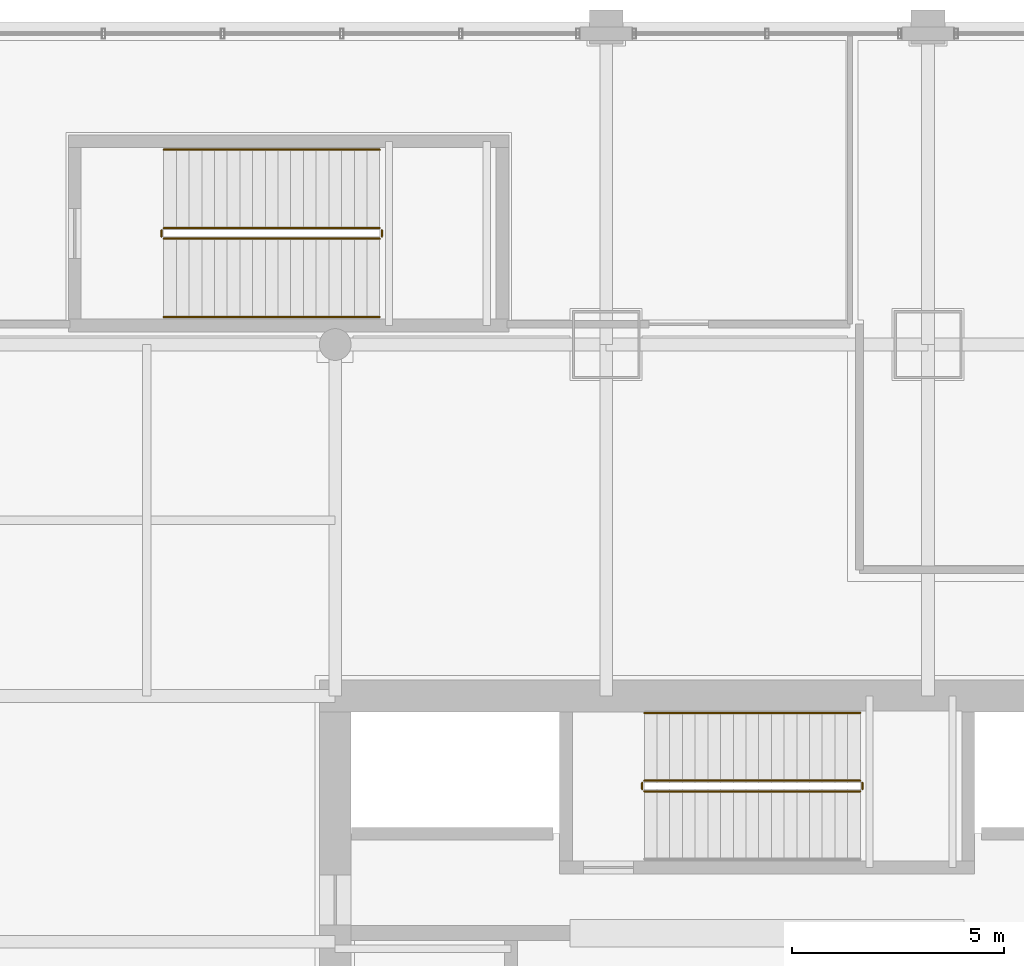
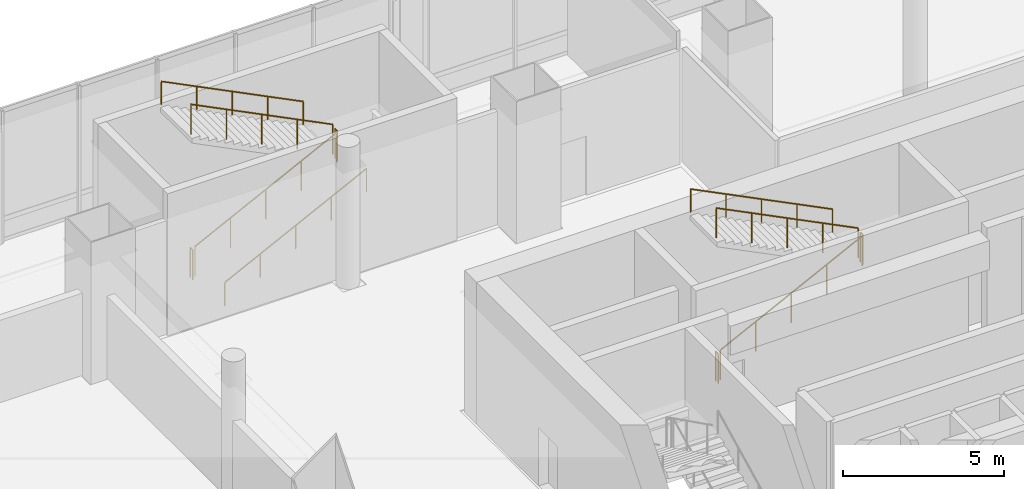
# One storey, part 33 of 35: 11 railings.
"""IFC4 building model written with IfcOpenShell, lengths in metres."""

from ifc_helpers import new_model, si_unit, direction, frame, origin, origin_2d, place, context, subcontext, project, spatial, circle, extrude, material, type_object, element, save


model = new_model("IFC4")

# Units and contexts
model_context = context("Model", 3, precision=1e-05, world=origin(), true_north=direction((0.0, 1.0)))
body_context = subcontext(model_context, "Body", "Model", "MODEL_VIEW")
ifc_project = project(units=[si_unit("LENGTHUNIT", "METRE"), si_unit("AREAUNIT", "SQUARE_METRE"), si_unit("VOLUMEUNIT", "CUBIC_METRE"), si_unit("PLANEANGLEUNIT", "RADIAN"), si_unit("MASSUNIT", "GRAM", prefix="KILO")], contexts=[model_context])

# Site, building, storey
site_placement = place(None, origin())
site = spatial("IfcSite", under=ifc_project, at=site_placement, CompositionType="ELEMENT")
building_placement = place(site_placement, origin())
building = spatial("IfcBuilding", under=site, at=building_placement, Name="Punatoya Terracotta Tower", CompositionType="ELEMENT")
storey_placement = place(building_placement, frame((0.0, 0.0, 16.800048828125)))
storey = spatial("IfcBuildingStorey", under=building, at=storey_placement, Name="L03", CompositionType="ELEMENT", Elevation=16.800048828125)

# Railings
ifc_material = material(Name="Steel S355", Category="steel")
railing_type_1 = type_object("IfcRailingType", Name="RLG-GRD-1150", PredefinedType="GUARDRAIL", material=ifc_material)
railing_1_placement = place(storey_placement, frame((-2.89990234375, 6.949951171875, 0.14990234375)))
element("IfcRailing", 1, at=railing_1_placement, inside=storey, type_object=railing_type_1, Name="L03 ST-3 stair guard 1", PredefinedType="GUARDRAIL", context=body_context, shape_type="SweptSolid", body=[
    extrude(circle(Radius=0.02392578125, at=origin_2d()), frame((0.0, 0.0, 1.1259765625), z_axis=(0.894418627299, 0.0, 0.447230722492), x_axis=(0.0, 1.0, 0.0)), (0.0, 0.0, 1.0), 5.701904296875),
    extrude(circle(Radius=0.02099609375, at=origin_2d()), origin(), (0.0, 0.0, 1.0), 1.101806640625),
    extrude(circle(Radius=0.02099609375, at=origin_2d()), frame((1.27490234375, 0.0, 0.637451171875)), (0.0, 0.0, 1.0), 1.101806640625),
    extrude(circle(Radius=0.02099609375, at=origin_2d()), frame((2.5498046875, 0.0, 1.27490234375)), (0.0, 0.0, 1.0), 1.101806640625),
    extrude(circle(Radius=0.02099609375, at=origin_2d()), frame((3.824951171875, 0.0, 1.91259765625)), (0.0, 0.0, 1.0), 1.101806640625),
    extrude(circle(Radius=0.02099609375, at=origin_2d()), frame((5.099853515625, 0.0, 2.550048828125)), (0.0, 0.0, 1.0), 1.101806640625),
])
railing_2_placement = place(storey_placement, frame((2.25, 7.0, 2.699951171875)))
element("IfcRailing", 2, at=railing_2_placement, inside=storey, type_object=railing_type_1, Name="L03 ST-3 stair guard 2", PredefinedType="GUARDRAIL", context=body_context, shape_type="SweptSolid", body=[
    extrude(circle(Radius=0.02392578125, at=origin_2d()), frame((0.0, 0.0, 1.1259765625), z_axis=(0.0, 1.0, 0.0), x_axis=(-1.0, 0.0, 0.0)), (0.0, 0.0, 1.0), 0.14990234375),
    extrude(circle(Radius=0.02099609375, at=origin_2d()), origin(), (0.0, 0.0, 1.0), 1.101806640625),
    extrude(circle(Radius=0.02099609375, at=origin_2d()), frame((0.0, 0.14990234375, 0.0)), (0.0, 0.0, 1.0), 1.101806640625),
])
railing_3_placement = place(storey_placement, frame((2.199951171875, 7.199951171875, 2.849853515625)))
element("IfcRailing", 3, at=railing_3_placement, inside=storey, type_object=railing_type_1, Name="L03 ST-3 stair guard 3", PredefinedType="GUARDRAIL", context=body_context, shape_type="SweptSolid", body=[
    extrude(circle(Radius=0.02392578125, at=origin_2d()), frame((0.0, 0.0, 1.1259765625), z_axis=(-0.894418627299, 0.0, 0.447230722492), x_axis=(0.0, -1.0, 0.0)), (0.0, 0.0, 1.0), 5.701904296875),
    extrude(circle(Radius=0.02099609375, at=origin_2d()), origin(), (0.0, 0.0, 1.0), 1.101806640625),
    extrude(circle(Radius=0.02099609375, at=origin_2d()), frame((-1.27490234375, 0.0, 0.637451171875)), (0.0, 0.0, 1.0), 1.101806640625),
    extrude(circle(Radius=0.02099609375, at=origin_2d()), frame((-2.5498046875, 0.0, 1.27490234375)), (0.0, 0.0, 1.0), 1.101806640625),
    extrude(circle(Radius=0.02099609375, at=origin_2d()), frame((-3.824951171875, 0.0, 1.91259765625)), (0.0, 0.0, 1.0), 1.101806640625),
    extrude(circle(Radius=0.02099609375, at=origin_2d()), frame((-5.099853515625, 0.0, 2.550048828125)), (0.0, 0.0, 1.0), 1.101806640625),
])
railing_4_placement = place(storey_placement, frame((-2.949951171875, 7.0, 0.0)))
element("IfcRailing", 4, at=railing_4_placement, inside=storey, type_object=railing_type_1, Name="L03 ST-3 stair guard 4", PredefinedType="GUARDRAIL", context=body_context, shape_type="SweptSolid", body=[
    extrude(circle(Radius=0.02392578125, at=origin_2d()), frame((0.0, 0.0, 1.1259765625), z_axis=(0.0, 1.0, 0.0), x_axis=(-1.0, 0.0, 0.0)), (0.0, 0.0, 1.0), 0.14990234375),
    extrude(circle(Radius=0.02099609375, at=origin_2d()), origin(), (0.0, 0.0, 1.0), 1.101806640625),
    extrude(circle(Radius=0.02099609375, at=origin_2d()), frame((0.0, 0.14990234375, 0.0)), (0.0, 0.0, 1.0), 1.101806640625),
])
railing_5_placement = place(storey_placement, frame((-14.25, 20.0, 0.14990234375)))
element("IfcRailing", 5, at=railing_5_placement, inside=storey, type_object=railing_type_1, Name="L03 ST-P1 stair guard 1", PredefinedType="GUARDRAIL", context=body_context, shape_type="SweptSolid", body=[
    extrude(circle(Radius=0.02392578125, at=origin_2d()), frame((0.0, 0.0, 1.1259765625), z_axis=(0.894427191, 0.0, 0.4472135955), x_axis=(0.0, 1.0, 0.0)), (0.0, 0.0, 1.0), 5.7021484375),
    extrude(circle(Radius=0.02099609375, at=origin_2d()), origin(), (0.0, 0.0, 1.0), 1.101806640625),
    extrude(circle(Radius=0.02099609375, at=origin_2d()), frame((1.27490234375, 0.0, 0.637451171875)), (0.0, 0.0, 1.0), 1.101806640625),
    extrude(circle(Radius=0.02099609375, at=origin_2d()), frame((2.550048828125, 0.0, 1.27490234375)), (0.0, 0.0, 1.0), 1.101806640625),
    extrude(circle(Radius=0.02099609375, at=origin_2d()), frame((3.8251953125, 0.0, 1.91259765625)), (0.0, 0.0, 1.0), 1.101806640625),
    extrude(circle(Radius=0.02099609375, at=origin_2d()), frame((5.10009765625, 0.0, 2.550048828125)), (0.0, 0.0, 1.0), 1.101806640625),
])
railing_6_placement = place(storey_placement, frame((-9.10009765625, 20.050048828125, 2.699951171875)))
element("IfcRailing", 6, at=railing_6_placement, inside=storey, type_object=railing_type_1, Name="L03 ST-P1 stair guard 2", PredefinedType="GUARDRAIL", context=body_context, shape_type="SweptSolid", body=[
    extrude(circle(Radius=0.02392578125, at=origin_2d()), frame((0.0, 0.0, 1.1259765625), z_axis=(0.0, 1.0, 0.0), x_axis=(-1.0, 0.0, 0.0)), (0.0, 0.0, 1.0), 0.14990234375),
    extrude(circle(Radius=0.02099609375, at=origin_2d()), origin(), (0.0, 0.0, 1.0), 1.101806640625),
    extrude(circle(Radius=0.02099609375, at=origin_2d()), frame((0.0, 0.14990234375, 0.0)), (0.0, 0.0, 1.0), 1.101806640625),
])
railing_7_placement = place(storey_placement, frame((-9.14990234375, 20.25, 2.849853515625)))
element("IfcRailing", 7, at=railing_7_placement, inside=storey, type_object=railing_type_1, Name="L03 ST-P1 stair guard 3", PredefinedType="GUARDRAIL", context=body_context, shape_type="SweptSolid", body=[
    extrude(circle(Radius=0.02392578125, at=origin_2d()), frame((0.0, 0.0, 1.1259765625), z_axis=(-0.894427191, 0.0, 0.4472135955), x_axis=(0.0, -1.0, 0.0)), (0.0, 0.0, 1.0), 5.7021484375),
    extrude(circle(Radius=0.02099609375, at=origin_2d()), origin(), (0.0, 0.0, 1.0), 1.101806640625),
    extrude(circle(Radius=0.02099609375, at=origin_2d()), frame((-1.27490234375, 0.0, 0.637451171875)), (0.0, 0.0, 1.0), 1.101806640625),
    extrude(circle(Radius=0.02099609375, at=origin_2d()), frame((-2.550048828125, 0.0, 1.27490234375)), (0.0, 0.0, 1.0), 1.101806640625),
    extrude(circle(Radius=0.02099609375, at=origin_2d()), frame((-3.8251953125, 0.0, 1.91259765625)), (0.0, 0.0, 1.0), 1.101806640625),
    extrude(circle(Radius=0.02099609375, at=origin_2d()), frame((-5.10009765625, 0.0, 2.550048828125)), (0.0, 0.0, 1.0), 1.101806640625),
])
railing_8_placement = place(storey_placement, frame((-14.300048828125, 20.050048828125, 0.0)))
element("IfcRailing", 8, at=railing_8_placement, inside=storey, type_object=railing_type_1, Name="L03 ST-P1 stair guard 4", PredefinedType="GUARDRAIL", context=body_context, shape_type="SweptSolid", body=[
    extrude(circle(Radius=0.02392578125, at=origin_2d()), frame((0.0, 0.0, 1.1259765625), z_axis=(0.0, 1.0, 0.0), x_axis=(-1.0, 0.0, 0.0)), (0.0, 0.0, 1.0), 0.14990234375),
    extrude(circle(Radius=0.02099609375, at=origin_2d()), origin(), (0.0, 0.0, 1.0), 1.101806640625),
    extrude(circle(Radius=0.02099609375, at=origin_2d()), frame((0.0, 0.14990234375, 0.0)), (0.0, 0.0, 1.0), 1.101806640625),
])
railing_type_2 = type_object("IfcRailingType", Name="RLG-HND-900", PredefinedType="HANDRAIL", material=ifc_material)
railing_9_placement = place(storey_placement, frame((2.199951171875, 8.800048828125, 2.849853515625)))
element("IfcRailing", 9, at=railing_9_placement, inside=storey, type_object=railing_type_2, Name="L03 ST-3 stair handrail 2", PredefinedType="HANDRAIL", context=body_context, shape_type="SweptSolid", body=[
    extrude(circle(Radius=0.02392578125, at=origin_2d()), frame((0.0, 0.0, 0.8759765625), z_axis=(-0.894418627299, 0.0, 0.447230722492), x_axis=(0.0, -1.0, 0.0)), (0.0, 0.0, 1.0), 5.701904296875),
    extrude(circle(Radius=0.02099609375, at=origin_2d()), origin(), (0.0, 0.0, 1.0), 0.851806640625),
    extrude(circle(Radius=0.02099609375, at=origin_2d()), frame((-1.27490234375, 0.0, 0.637451171875)), (0.0, 0.0, 1.0), 0.851806640625),
    extrude(circle(Radius=0.02099609375, at=origin_2d()), frame((-2.5498046875, 0.0, 1.27490234375)), (0.0, 0.0, 1.0), 0.851806640625),
    extrude(circle(Radius=0.02099609375, at=origin_2d()), frame((-3.824951171875, 0.0, 1.91259765625)), (0.0, 0.0, 1.0), 0.851806640625),
    extrude(circle(Radius=0.02099609375, at=origin_2d()), frame((-5.099853515625, 0.0, 2.550048828125)), (0.0, 0.0, 1.0), 0.851806640625),
])
railing_10_placement = place(storey_placement, frame((-14.25, 18.14990234375, 0.14990234375)))
element("IfcRailing", 10, at=railing_10_placement, inside=storey, type_object=railing_type_2, Name="L03 ST-P1 stair handrail 1", PredefinedType="HANDRAIL", context=body_context, shape_type="SweptSolid", body=[
    extrude(circle(Radius=0.02392578125, at=origin_2d()), frame((0.0, 0.0, 0.8759765625), z_axis=(0.894427191, 0.0, 0.4472135955), x_axis=(0.0, 1.0, 0.0)), (0.0, 0.0, 1.0), 5.7021484375),
    extrude(circle(Radius=0.02099609375, at=origin_2d()), origin(), (0.0, 0.0, 1.0), 0.851806640625),
    extrude(circle(Radius=0.02099609375, at=origin_2d()), frame((1.27490234375, 0.0, 0.637451171875)), (0.0, 0.0, 1.0), 0.851806640625),
    extrude(circle(Radius=0.02099609375, at=origin_2d()), frame((2.550048828125, 0.0, 1.27490234375)), (0.0, 0.0, 1.0), 0.851806640625),
    extrude(circle(Radius=0.02099609375, at=origin_2d()), frame((3.8251953125, 0.0, 1.91259765625)), (0.0, 0.0, 1.0), 0.851806640625),
    extrude(circle(Radius=0.02099609375, at=origin_2d()), frame((5.10009765625, 0.0, 2.550048828125)), (0.0, 0.0, 1.0), 0.851806640625),
])
railing_11_placement = place(storey_placement, frame((-9.14990234375, 22.10009765625, 2.849853515625)))
element("IfcRailing", 11, at=railing_11_placement, inside=storey, type_object=railing_type_2, Name="L03 ST-P1 stair handrail 2", PredefinedType="HANDRAIL", context=body_context, shape_type="SweptSolid", body=[
    extrude(circle(Radius=0.02392578125, at=origin_2d()), frame((0.0, 0.0, 0.8759765625), z_axis=(-0.894427191, 0.0, 0.4472135955), x_axis=(0.0, -1.0, 0.0)), (0.0, 0.0, 1.0), 5.7021484375),
    extrude(circle(Radius=0.02099609375, at=origin_2d()), origin(), (0.0, 0.0, 1.0), 0.851806640625),
    extrude(circle(Radius=0.02099609375, at=origin_2d()), frame((-1.27490234375, 0.0, 0.637451171875)), (0.0, 0.0, 1.0), 0.851806640625),
    extrude(circle(Radius=0.02099609375, at=origin_2d()), frame((-2.550048828125, 0.0, 1.27490234375)), (0.0, 0.0, 1.0), 0.851806640625),
    extrude(circle(Radius=0.02099609375, at=origin_2d()), frame((-3.8251953125, 0.0, 1.91259765625)), (0.0, 0.0, 1.0), 0.851806640625),
    extrude(circle(Radius=0.02099609375, at=origin_2d()), frame((-5.10009765625, 0.0, 2.550048828125)), (0.0, 0.0, 1.0), 0.851806640625),
])

save(model, "model.ifc")
